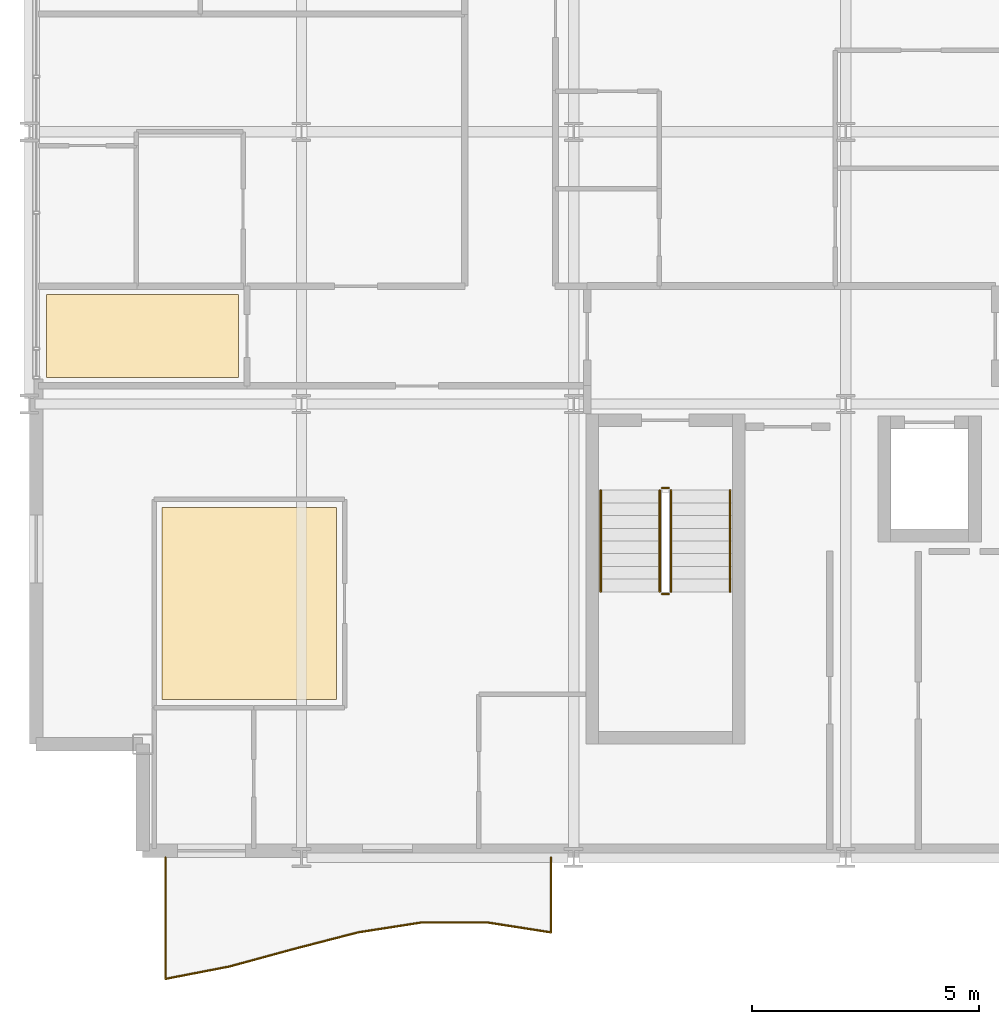
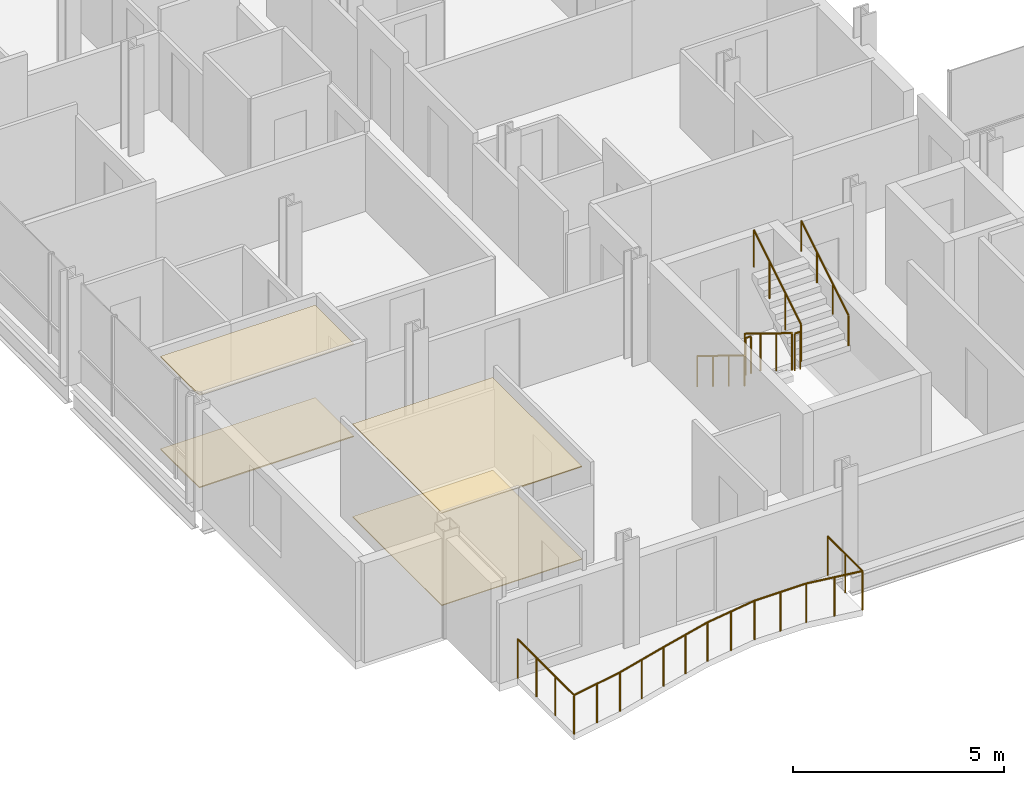
# One storey, part 38 of 41: 7 railings, 4 coverings.
"""IFC4 building model written with IfcOpenShell, lengths in metres."""

from ifc_helpers import new_model, si_unit, direction, frame, origin, origin_2d, place, context, subcontext, project, spatial, polyline, circle, outline, extrude, material, layer, layer_set, type_object, element, save


model = new_model("IFC4")

# Units and contexts
model_context = context("Model", 3, precision=1e-05, world=origin(), true_north=direction((0.0, 1.0)))
body_context = subcontext(model_context, "Body", "Model", "MODEL_VIEW")
ifc_project = project(units=[si_unit("LENGTHUNIT", "METRE"), si_unit("AREAUNIT", "SQUARE_METRE"), si_unit("VOLUMEUNIT", "CUBIC_METRE"), si_unit("PLANEANGLEUNIT", "RADIAN"), si_unit("MASSUNIT", "GRAM", prefix="KILO")], contexts=[model_context])

# Site, building, storey
site_placement = place(None, origin())
site = spatial("IfcSite", under=ifc_project, at=site_placement, CompositionType="ELEMENT")
building_placement = place(site_placement, origin())
building = spatial("IfcBuilding", under=site, at=building_placement, Name="Brevholm Reach", CompositionType="ELEMENT")
storey_placement = place(building_placement, frame((0.0, 0.0, 100.39990234375)))
storey = spatial("IfcBuildingStorey", under=building, at=storey_placement, Name="L29", CompositionType="ELEMENT", Elevation=100.39990234375)

# Coverings
ifc_material_1 = material(Name="Moisture-Resistant Skimmed Gypsum Plasterboard Ceiling", Category="gypsum")
ifc_layer_1 = layer(ifc_material_1, 0.030029296875)
ifc_layer_set_1 = layer_set([ifc_layer_1], Name="Moisture-Resistant Skimmed Gypsum Plasterboard Ceiling")
covering_type_1 = type_object("IfcCoveringType", Name="COV-CLG-GYP", PredefinedType="CEILING", material=ifc_layer_set_1)
covering_1_placement = place(storey_placement, frame((0.0, 0.0, 2.68017578125)))
element("IfcCovering", 1, at=covering_1_placement, inside=storey, type_object=covering_type_1, Name="L29 Suspended Ceiling L29-27", PredefinedType="CEILING", context=body_context, shape_type="SweptSolid", body=[
    extrude(outline(polyline([(2.929931640625, 7.719970703125), (6.77001953125, 7.719970703125), (6.77001953125, 3.47998046875), (4.984375, 3.47998046875), (4.982177734375, 3.48046875), (4.964599609375, 3.483154296875), (4.947021484375, 3.48388671875), (2.929931640625, 3.48388671875), (2.929931640625, 7.719970703125)])), origin(), (0.0, 0.0, 1.0), 0.030029296875),
])
covering_2_placement = place(storey_placement, frame((0.0, 0.0, 2.68017578125)))
element("IfcCovering", 2, at=covering_2_placement, inside=storey, type_object=covering_type_1, Name="L29 Suspended Ceiling L29-29", PredefinedType="CEILING", context=body_context, shape_type="SweptSolid", body=[
    extrude(outline(polyline([(0.3798828125, 12.419921875), (4.615966796875, 12.419921875), (4.615966796875, 10.583984375), (0.3798828125, 10.583984375), (0.3798828125, 12.419921875)])), origin(), (0.0, 0.0, 1.0), 0.030029296875),
])
ifc_material_2 = material(Name="Engineered European Oak Acoustic Plank Flooring", Category="timber")
ifc_layer_2 = layer(ifc_material_2, 0.02197265625)
ifc_layer_set_2 = layer_set([ifc_layer_2], Name="Engineered European Oak Acoustic Plank Flooring")
covering_type_2 = type_object("IfcCoveringType", Name="COV-FLR-OAK", PredefinedType="FLOORING", material=ifc_layer_set_2)
covering_3_placement = place(storey_placement, origin())
element("IfcCovering", 3, at=covering_3_placement, inside=storey, type_object=covering_type_2, Name="L29 Floor Finish L29-27", PredefinedType="FLOORING", context=body_context, shape_type="SweptSolid", body=[
    extrude(outline(polyline([(2.929931640625, 7.719970703125), (6.77001953125, 7.719970703125), (6.77001953125, 3.47998046875), (4.984375, 3.47998046875), (4.982177734375, 3.48046875), (4.964599609375, 3.483154296875), (4.947021484375, 3.48388671875), (2.929931640625, 3.48388671875), (2.929931640625, 7.719970703125)])), origin(), (0.0, 0.0, 1.0), 0.022216796875),
])
ifc_material_3 = material(Name="Honed Portland-Aggregate Resin Terrazzo Flooring", Category="concrete")
ifc_layer_3 = layer(ifc_material_3, 0.031982421875)
ifc_layer_set_3 = layer_set([ifc_layer_3], Name="Honed Portland-Aggregate Resin Terrazzo Flooring")
covering_type_3 = type_object("IfcCoveringType", Name="COV-FLR-TRZ", PredefinedType="FLOORING", material=ifc_layer_set_3)
covering_4_placement = place(storey_placement, origin())
element("IfcCovering", 4, at=covering_4_placement, inside=storey, type_object=covering_type_3, Name="L29 Floor Finish L29-29", PredefinedType="FLOORING", context=body_context, shape_type="SweptSolid", body=[
    extrude(outline(polyline([(0.3798828125, 12.419921875), (4.615966796875, 12.419921875), (4.615966796875, 10.583984375), (0.3798828125, 10.583984375), (0.3798828125, 12.419921875)])), origin(), (0.0, 0.0, 1.0), 0.031982421875),
])

# Railings
ifc_material_4 = material(Name="Brushed Stainless Steel EN 1.4401 and Laminated Glass", Category="steel")
railing_type_1 = type_object("IfcRailingType", Name="RAL-BALC-1150", PredefinedType="BALUSTRADE", material=ifc_material_4)
railing_1_placement = place(storey_placement, frame((3.0, 0.0, 0.0)))
element("IfcRailing", 5, at=railing_1_placement, inside=storey, type_object=railing_type_1, Name="L29 Guard Balustrade RAL-L29-BAL-SW", PredefinedType="BALUSTRADE", context=body_context, shape_type="SweptSolid", body=[
    extrude(circle(Radius=0.02392578125, at=origin_2d()), frame((0.0, 0.0, 1.1259765625), z_axis=(0.0, -1.0, 0.0), x_axis=(1.0, 0.0, 0.0)), (0.0, 0.0, 1.0), 2.676513671875),
    extrude(circle(Radius=0.02392578125, at=origin_2d()), frame((0.0, -2.676513671875, 1.1259765625), z_axis=(0.98175336952, 0.190158674365, 0.0), x_axis=(-0.190158674365, 0.98175336952, 0.0)), (0.0, 0.0, 1.0), 1.443115234375),
    extrude(circle(Radius=0.02392578125, at=origin_2d()), frame((1.416748046875, -2.402099609375, 1.1259765625), z_axis=(0.964821360478, 0.262906337628, 0.0), x_axis=(-0.262906337628, 0.964821360478, 0.0)), (0.0, 0.0, 1.0), 1.46826171875),
    extrude(circle(Radius=0.02392578125, at=origin_2d()), frame((2.833251953125, -2.01611328125, 1.1259765625), z_axis=(0.968218696825, 0.250105088151, 0.0), x_axis=(-0.250105088151, 0.968218696825, 0.0)), (0.0, 0.0, 1.0), 1.463134765625),
    extrude(circle(Radius=0.02392578125, at=origin_2d()), frame((4.25, -1.650146484375, 1.1259765625), z_axis=(0.988082538492, 0.153924972393, 0.0), x_axis=(-0.153924972393, 0.988082538492, 0.0)), (0.0, 0.0, 1.0), 1.433837890625),
    extrude(circle(Radius=0.02392578125, at=origin_2d()), frame((5.666748046875, -1.429443359375, 1.1259765625), z_axis=(1.0, 0.0, 0.0), x_axis=(0.0, 1.0, 0.0)), (0.0, 0.0, 1.0), 1.41650390625),
    extrude(circle(Radius=0.02392578125, at=origin_2d()), frame((7.083251953125, -1.429443359375, 1.1259765625), z_axis=(0.988082538492, -0.153924972393, 0.0), x_axis=(0.153924972393, 0.988082538492, 0.0)), (0.0, 0.0, 1.0), 1.433837890625),
    extrude(circle(Radius=0.02392578125, at=origin_2d()), frame((8.5, -1.650146484375, 1.1259765625), z_axis=(0.0, 1.0, 0.0), x_axis=(-1.0, 0.0, 0.0)), (0.0, 0.0, 1.0), 1.650146484375),
    extrude(circle(Radius=0.02099609375, at=origin_2d()), origin(), (0.0, 0.0, 1.0), 1.101806640625),
    extrude(circle(Radius=0.02099609375, at=origin_2d()), frame((0.0, -0.89208984375, 0.0)), (0.0, 0.0, 1.0), 1.101806640625),
    extrude(circle(Radius=0.02099609375, at=origin_2d()), frame((0.0, -1.784423828125, 0.0)), (0.0, 0.0, 1.0), 1.101806640625),
    extrude(circle(Radius=0.02099609375, at=origin_2d()), frame((0.0, -2.676513671875, 0.0)), (0.0, 0.0, 1.0), 1.101806640625),
    extrude(circle(Radius=0.02099609375, at=origin_2d()), frame((0.70849609375, -2.539306640625, 0.0)), (0.0, 0.0, 1.0), 1.101806640625),
    extrude(circle(Radius=0.02099609375, at=origin_2d()), frame((1.416748046875, -2.402099609375, 0.0)), (0.0, 0.0, 1.0), 1.101806640625),
    extrude(circle(Radius=0.02099609375, at=origin_2d()), frame((2.125, -2.208984375, 0.0)), (0.0, 0.0, 1.0), 1.101806640625),
    extrude(circle(Radius=0.02099609375, at=origin_2d()), frame((2.833251953125, -2.01611328125, 0.0)), (0.0, 0.0, 1.0), 1.101806640625),
    extrude(circle(Radius=0.02099609375, at=origin_2d()), frame((3.54150390625, -1.8330078125, 0.0)), (0.0, 0.0, 1.0), 1.101806640625),
    extrude(circle(Radius=0.02099609375, at=origin_2d()), frame((4.25, -1.650146484375, 0.0)), (0.0, 0.0, 1.0), 1.101806640625),
    extrude(circle(Radius=0.02099609375, at=origin_2d()), frame((4.95849609375, -1.539794921875, 0.0)), (0.0, 0.0, 1.0), 1.101806640625),
    extrude(circle(Radius=0.02099609375, at=origin_2d()), frame((5.666748046875, -1.429443359375, 0.0)), (0.0, 0.0, 1.0), 1.101806640625),
    extrude(circle(Radius=0.02099609375, at=origin_2d()), frame((6.375, -1.429443359375, 0.0)), (0.0, 0.0, 1.0), 1.101806640625),
    extrude(circle(Radius=0.02099609375, at=origin_2d()), frame((7.083251953125, -1.429443359375, 0.0)), (0.0, 0.0, 1.0), 1.101806640625),
    extrude(circle(Radius=0.02099609375, at=origin_2d()), frame((7.79150390625, -1.539794921875, 0.0)), (0.0, 0.0, 1.0), 1.101806640625),
    extrude(circle(Radius=0.02099609375, at=origin_2d()), frame((8.5, -1.650146484375, 0.0)), (0.0, 0.0, 1.0), 1.101806640625),
    extrude(circle(Radius=0.02099609375, at=origin_2d()), frame((8.5, -0.8251953125, 0.0)), (0.0, 0.0, 1.0), 1.101806640625),
    extrude(circle(Radius=0.02099609375, at=origin_2d()), frame((8.5, 0.0, 0.0)), (0.0, 0.0, 1.0), 1.101806640625),
])
ifc_material_5 = material(Name="Brushed Stainless Steel EN 1.4401 Continuous Handrail", Category="steel")
railing_type_2 = type_object("IfcRailingType", Name="RAL-HND-950", PredefinedType="HANDRAIL", material=ifc_material_5)
railing_2_placement = place(storey_placement, frame((12.60009765625, 8.10009765625, 0.17236328125)))
element("IfcRailing", 6, at=railing_2_placement, inside=storey, type_object=railing_type_2, Name="L29 ST-1 stair handrail 1", PredefinedType="HANDRAIL", context=body_context, shape_type="SweptSolid", body=[
    extrude(circle(Radius=0.02392578125, at=origin_2d()), frame((0.0, 0.0, 0.8857421875), z_axis=(0.0, -0.85178898068, 0.523885037382), x_axis=(1.0, 0.0, 0.0)), (0.0, 0.0, 1.0), 2.629638671875),
    extrude(circle(Radius=0.02099609375, at=origin_2d()), origin(), (0.0, 0.0, 1.0), 0.86181640625),
    extrude(circle(Radius=0.02099609375, at=origin_2d()), frame((0.0, -0.74658203125, 0.459228515625)), (0.0, 0.0, 1.0), 0.86181640625),
    extrude(circle(Radius=0.02099609375, at=origin_2d()), frame((0.0, -1.493408203125, 0.91845703125)), (0.0, 0.0, 1.0), 0.86181640625),
    extrude(circle(Radius=0.02099609375, at=origin_2d()), frame((0.0, -2.239990234375, 1.377685546875)), (0.0, 0.0, 1.0), 0.86181640625),
])
railing_3_placement = place(storey_placement, frame((15.449951171875, 5.860107421875, 1.722412109375)))
element("IfcRailing", 7, at=railing_3_placement, inside=storey, type_object=railing_type_2, Name="L29 ST-1 stair handrail 2", PredefinedType="HANDRAIL", context=body_context, shape_type="SweptSolid", body=[
    extrude(circle(Radius=0.02392578125, at=origin_2d()), frame((0.0, 0.0, 0.8857421875), z_axis=(0.0, 0.85178898068, 0.523885037382), x_axis=(-1.0, 0.0, 0.0)), (0.0, 0.0, 1.0), 2.629638671875),
    extrude(circle(Radius=0.02099609375, at=origin_2d()), origin(), (0.0, 0.0, 1.0), 0.86181640625),
    extrude(circle(Radius=0.02099609375, at=origin_2d()), frame((0.0, 0.74658203125, 0.459228515625)), (0.0, 0.0, 1.0), 0.86181640625),
    extrude(circle(Radius=0.02099609375, at=origin_2d()), frame((0.0, 1.493408203125, 0.91845703125)), (0.0, 0.0, 1.0), 0.86181640625),
    extrude(circle(Radius=0.02099609375, at=origin_2d()), frame((0.0, 2.239990234375, 1.377685546875)), (0.0, 0.0, 1.0), 0.86181640625),
])
ifc_material_6 = material(Name="Painted Tubular Galvanised Steel S275JR Stair Guard", Category="steel")
railing_type_3 = type_object("IfcRailingType", Name="RAL-STG-1120", PredefinedType="BALUSTRADE", material=ifc_material_6)
railing_4_placement = place(storey_placement, frame((13.89990234375, 8.10009765625, 0.17236328125)))
element("IfcRailing", 8, at=railing_4_placement, inside=storey, type_object=railing_type_3, Name="L29 ST-1 stair guard 1", PredefinedType="BALUSTRADE", context=body_context, shape_type="SweptSolid", body=[
    extrude(circle(Radius=0.02392578125, at=origin_2d()), frame((0.0, 0.0, 1.076171875), z_axis=(0.0, -0.85178898068, 0.523885037382), x_axis=(1.0, 0.0, 0.0)), (0.0, 0.0, 1.0), 2.629638671875),
    extrude(circle(Radius=0.02099609375, at=origin_2d()), origin(), (0.0, 0.0, 1.0), 1.052001953125),
    extrude(circle(Radius=0.02099609375, at=origin_2d()), frame((0.0, -0.74658203125, 0.459228515625)), (0.0, 0.0, 1.0), 1.052001953125),
    extrude(circle(Radius=0.02099609375, at=origin_2d()), frame((0.0, -1.493408203125, 0.91845703125)), (0.0, 0.0, 1.0), 1.052001953125),
    extrude(circle(Radius=0.02099609375, at=origin_2d()), frame((0.0, -2.239990234375, 1.377685546875)), (0.0, 0.0, 1.0), 1.052001953125),
])
railing_5_placement = place(storey_placement, frame((13.949951171875, 5.81005859375, 1.550048828125)))
element("IfcRailing", 9, at=railing_5_placement, inside=storey, type_object=railing_type_3, Name="L29 ST-1 stair guard 2", PredefinedType="BALUSTRADE", context=body_context, shape_type="SweptSolid", body=[
    extrude(circle(Radius=0.02392578125, at=origin_2d()), frame((0.0, 0.0, 1.076171875), z_axis=(1.0, 0.0, 0.0), x_axis=(0.0, 1.0, 0.0)), (0.0, 0.0, 1.0), 0.150146484375),
    extrude(circle(Radius=0.02099609375, at=origin_2d()), origin(), (0.0, 0.0, 1.0), 1.052001953125),
    extrude(circle(Radius=0.02099609375, at=origin_2d()), frame((0.150146484375, 0.0, 0.0)), (0.0, 0.0, 1.0), 1.052001953125),
])
railing_6_placement = place(storey_placement, frame((14.14990234375, 5.860107421875, 1.722412109375)))
element("IfcRailing", 10, at=railing_6_placement, inside=storey, type_object=railing_type_3, Name="L29 ST-1 stair guard 3", PredefinedType="BALUSTRADE", context=body_context, shape_type="SweptSolid", body=[
    extrude(circle(Radius=0.02392578125, at=origin_2d()), frame((0.0, 0.0, 1.076171875), z_axis=(0.0, 0.85178898068, 0.523885037382), x_axis=(-1.0, 0.0, 0.0)), (0.0, 0.0, 1.0), 2.629638671875),
    extrude(circle(Radius=0.02099609375, at=origin_2d()), origin(), (0.0, 0.0, 1.0), 1.052001953125),
    extrude(circle(Radius=0.02099609375, at=origin_2d()), frame((0.0, 0.74658203125, 0.459228515625)), (0.0, 0.0, 1.0), 1.052001953125),
    extrude(circle(Radius=0.02099609375, at=origin_2d()), frame((0.0, 1.493408203125, 0.91845703125)), (0.0, 0.0, 1.0), 1.052001953125),
    extrude(circle(Radius=0.02099609375, at=origin_2d()), frame((0.0, 2.239990234375, 1.377685546875)), (0.0, 0.0, 1.0), 1.052001953125),
])
railing_7_placement = place(storey_placement, frame((13.949951171875, 8.14990234375, 0.0)))
element("IfcRailing", 11, at=railing_7_placement, inside=storey, type_object=railing_type_3, Name="L29 ST-1 stair guard 4", PredefinedType="BALUSTRADE", context=body_context, shape_type="SweptSolid", body=[
    extrude(circle(Radius=0.02392578125, at=origin_2d()), frame((0.0, 0.0, 1.076171875), z_axis=(1.0, 0.0, 0.0), x_axis=(0.0, 1.0, 0.0)), (0.0, 0.0, 1.0), 0.150146484375),
    extrude(circle(Radius=0.02099609375, at=origin_2d()), origin(), (0.0, 0.0, 1.0), 1.052001953125),
    extrude(circle(Radius=0.02099609375, at=origin_2d()), frame((0.150146484375, 0.0, 0.0)), (0.0, 0.0, 1.0), 1.052001953125),
])

save(model, "model.ifc")
